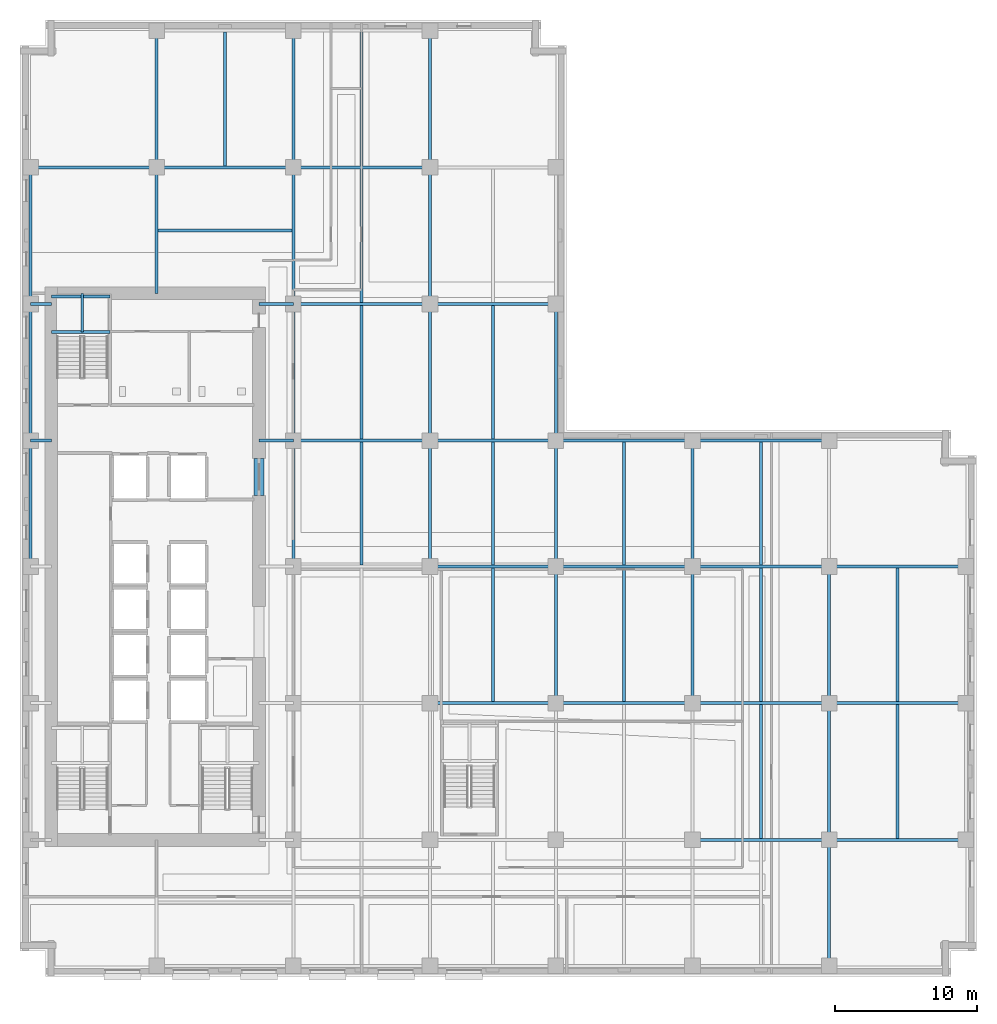
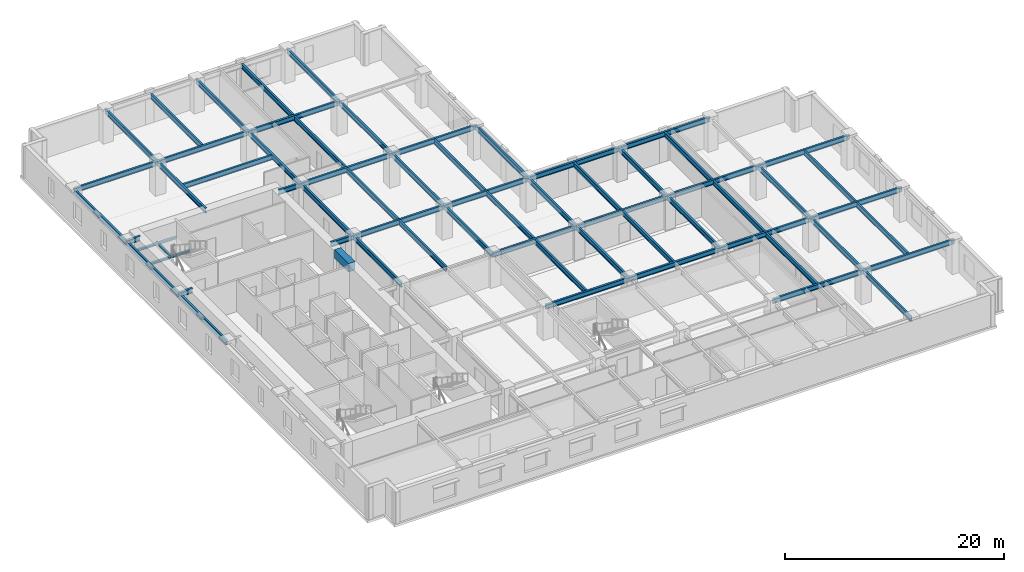
# One storey, part 2 of 14: 64 beams.
"""IFC4 building model written with IfcOpenShell, lengths in metres."""

from ifc_helpers import new_model, si_unit, direction, frame, origin, origin_2d, place, context, subcontext, project, spatial, rectangle, i_section, extrude, material, material_profile, profile_set, type_object, element, save


model = new_model("IFC4")

# Units and contexts
model_context = context("Model", 3, precision=1e-05, world=origin(), true_north=direction((0.0, 1.0)))
body_context = subcontext(model_context, "Body", "Model", "MODEL_VIEW")
ifc_project = project(units=[si_unit("LENGTHUNIT", "METRE"), si_unit("AREAUNIT", "SQUARE_METRE"), si_unit("VOLUMEUNIT", "CUBIC_METRE"), si_unit("PLANEANGLEUNIT", "RADIAN"), si_unit("MASSUNIT", "GRAM", prefix="KILO")], contexts=[model_context])

# Site, building, storey
site_placement = place(None, origin())
site = spatial("IfcSite", under=ifc_project, at=site_placement, CompositionType="ELEMENT")
building_placement = place(site_placement, origin())
building = spatial("IfcBuilding", under=site, at=building_placement, Name="Norrvale University Quadrangle", CompositionType="ELEMENT")
storey_placement = place(building_placement, frame((0.0, 0.0, 73.60009765625)))
storey = spatial("IfcBuildingStorey", under=building, at=storey_placement, Name="L18", CompositionType="ELEMENT", Elevation=73.60009765625)

# Beams
ifc_material_1 = material(Name="Concrete C80/95", Category="concrete")
ifc_material_profile_1 = material_profile(ifc_material_1, rectangle(XDim=0.699951171875, YDim=0.949951171875, at=origin_2d()), Name="Concrete C80/95")
ifc_profile_set_1 = profile_set([ifc_material_profile_1], Name="Concrete C80/95")
beam_type_1 = type_object("IfcBeamType", Name="Beam Core Link 700x950", PredefinedType="LINTEL", material=ifc_profile_set_1)
beam_1_placement = place(storey_placement, frame((16.800048828125, 33.800048828125, 3.06494140625), z_axis=(0.0, 1.0, 0.0), x_axis=(-1.0, 0.0, 0.0)))
element("IfcBeam", 1, at=beam_1_placement, inside=storey, type_object=beam_type_1, Name="Core Coupling Lintel Beam L18-2", PredefinedType="LINTEL", context=body_context, shape_type="SweptSolid", body=[
    extrude(rectangle(XDim=0.699951171875, YDim=0.949951171875, at=origin_2d()), origin(), (0.0, 0.0, 1.0), 2.599853515625),
])
ifc_material_2 = material(Name="Steel 350W", Category="steel")
ifc_material_profile_2 = material_profile(ifc_material_2, i_section(OverallWidth=0.2119140625, OverallDepth=0.5439453125, WebThickness=0.01318359375, FlangeThickness=0.021240234375, FilletRadius=0.013916015625, at=origin_2d()), Name="Steel 350W")
ifc_profile_set_2 = profile_set([ifc_material_profile_2], Name="Steel 350W")
beam_type_2 = type_object("IfcBeamType", Name="Beam Floor W530x123", PredefinedType="BEAM", material=ifc_profile_set_2)
beam_2_placement = place(storey_placement, frame((47.25, 9.60009765625, 3.267822265625), z_axis=(1.0, 0.0, 0.0), x_axis=(0.0, 1.0, 0.0)))
element("IfcBeam", 2, at=beam_2_placement, inside=storey, type_object=beam_type_2, Name="Beam Floor W530x123 BM-L18-GX009", PredefinedType="BEAM", context=body_context, shape_type="SweptSolid", body=[
    extrude(i_section(OverallWidth=0.2119140625, OverallDepth=0.5439453125, WebThickness=0.01318359375, FlangeThickness=0.021240234375, FilletRadius=0.013916015625, at=origin_2d()), origin(), (0.0, 0.0, 1.0), 9.60009765625),
])
beam_3_placement = place(storey_placement, frame((56.85009765625, 9.60009765625, 3.267822265625), z_axis=(1.0, 0.0, 0.0), x_axis=(0.0, 1.0, 0.0)))
element("IfcBeam", 3, at=beam_3_placement, inside=storey, type_object=beam_type_2, Name="Beam Floor W530x123 BM-L18-GX010", PredefinedType="BEAM", context=body_context, shape_type="SweptSolid", body=[
    extrude(i_section(OverallWidth=0.2119140625, OverallDepth=0.5439453125, WebThickness=0.01318359375, FlangeThickness=0.021240234375, FilletRadius=0.013916015625, at=origin_2d()), origin(), (0.0, 0.0, 1.0), 9.599853515625),
])
beam_4_placement = place(storey_placement, frame((28.800048828125, 19.199951171875, 3.267822265625), z_axis=(1.0, 0.0, 0.0), x_axis=(0.0, 1.0, 0.0)))
element("IfcBeam", 4, at=beam_4_placement, inside=storey, type_object=beam_type_2, Name="Beam Floor W530x123 BM-L18-GX012", PredefinedType="BEAM", context=body_context, shape_type="SweptSolid", body=[
    extrude(i_section(OverallWidth=0.2119140625, OverallDepth=0.5439453125, WebThickness=0.01318359375, FlangeThickness=0.021240234375, FilletRadius=0.013916015625, at=origin_2d()), origin(), (0.0, 0.0, 1.0), 8.849853515625),
])
for number, where, z_axis, x_axis, name in (
    (5, (37.64990234375, 19.199951171875, 3.267822265625), (1.0, 0.0, 0.0), (0.0, 1.0, 0.0), "Beam Floor W530x123 BM-L18-GX013"),
    (6, (47.25, 19.199951171875, 3.267822265625), (1.0, 0.0, 0.0), (0.0, 1.0, 0.0), "Beam Floor W530x123 BM-L18-GX014"),
):
    element("IfcBeam", number, at=place(storey_placement, frame(where, z_axis=z_axis, x_axis=x_axis)), inside=storey, type_object=beam_type_2, Name=name, PredefinedType="BEAM", context=body_context, shape_type="SweptSolid", body=[
        extrude(i_section(OverallWidth=0.2119140625, OverallDepth=0.5439453125, WebThickness=0.01318359375, FlangeThickness=0.021240234375, FilletRadius=0.013916015625, at=origin_2d()), origin(), (0.0, 0.0, 1.0), 9.60009765625),
    ])
beam_5_placement = place(storey_placement, frame((56.85009765625, 19.199951171875, 3.267822265625), z_axis=(1.0, 0.0, 0.0), x_axis=(0.0, 1.0, 0.0)))
element("IfcBeam", 7, at=beam_5_placement, inside=storey, type_object=beam_type_2, Name="Beam Floor W530x123 BM-L18-GX015", PredefinedType="BEAM", context=body_context, shape_type="SweptSolid", body=[
    extrude(i_section(OverallWidth=0.2119140625, OverallDepth=0.5439453125, WebThickness=0.01318359375, FlangeThickness=0.021240234375, FilletRadius=0.013916015625, at=origin_2d()), origin(), (0.0, 0.0, 1.0), 9.599853515625),
])
beam_6_placement = place(storey_placement, frame((28.800048828125, 28.800048828125, 3.267822265625), z_axis=(1.0, 0.0, 0.0), x_axis=(0.0, 1.0, 0.0)))
element("IfcBeam", 8, at=beam_6_placement, inside=storey, type_object=beam_type_2, Name="Beam Floor W530x123 BM-L18-GX017", PredefinedType="BEAM", context=body_context, shape_type="SweptSolid", body=[
    extrude(i_section(OverallWidth=0.2119140625, OverallDepth=0.5439453125, WebThickness=0.01318359375, FlangeThickness=0.021240234375, FilletRadius=0.013916015625, at=origin_2d()), origin(), (0.0, 0.0, 1.0), 8.849853515625),
])
for number, where, z_axis, x_axis, name in (
    (9, (37.64990234375, 28.800048828125, 3.267822265625), (1.0, 0.0, 0.0), (0.0, 1.0, 0.0), "Beam Floor W530x123 BM-L18-GX018"),
    (10, (47.25, 28.800048828125, 3.267822265625), (1.0, 0.0, 0.0), (0.0, 1.0, 0.0), "Beam Floor W530x123 BM-L18-GX019"),
):
    element("IfcBeam", number, at=place(storey_placement, frame(where, z_axis=z_axis, x_axis=x_axis)), inside=storey, type_object=beam_type_2, Name=name, PredefinedType="BEAM", context=body_context, shape_type="SweptSolid", body=[
        extrude(i_section(OverallWidth=0.2119140625, OverallDepth=0.5439453125, WebThickness=0.01318359375, FlangeThickness=0.021240234375, FilletRadius=0.013916015625, at=origin_2d()), origin(), (0.0, 0.0, 1.0), 9.60009765625),
    ])
beam_7_placement = place(storey_placement, frame((56.85009765625, 28.800048828125, 3.267822265625), z_axis=(1.0, 0.0, 0.0), x_axis=(0.0, 1.0, 0.0)))
element("IfcBeam", 11, at=beam_7_placement, inside=storey, type_object=beam_type_2, Name="Beam Floor W530x123 BM-L18-GX020", PredefinedType="BEAM", context=body_context, shape_type="SweptSolid", body=[
    extrude(i_section(OverallWidth=0.2119140625, OverallDepth=0.5439453125, WebThickness=0.01318359375, FlangeThickness=0.021240234375, FilletRadius=0.013916015625, at=origin_2d()), origin(), (0.0, 0.0, 1.0), 9.599853515625),
])
beam_8_placement = place(storey_placement, frame((19.199951171875, 37.64990234375, 3.267822265625), z_axis=(1.0, 0.0, 0.0), x_axis=(0.0, 1.0, 0.0)))
element("IfcBeam", 12, at=beam_8_placement, inside=storey, type_object=beam_type_2, Name="Beam Floor W530x123 BM-L18-GX021", PredefinedType="BEAM", context=body_context, shape_type="SweptSolid", body=[
    extrude(i_section(OverallWidth=0.2119140625, OverallDepth=0.5439453125, WebThickness=0.01318359375, FlangeThickness=0.021240234375, FilletRadius=0.013916015625, at=origin_2d()), origin(), (0.0, 0.0, 1.0), 9.60009765625),
])
beam_9_placement = place(storey_placement, frame((28.800048828125, 37.64990234375, 3.267822265625), z_axis=(1.0, 0.0, 0.0), x_axis=(0.0, 1.0, 0.0)))
element("IfcBeam", 13, at=beam_9_placement, inside=storey, type_object=beam_type_2, Name="Beam Floor W530x123 BM-L18-GX022", PredefinedType="BEAM", context=body_context, shape_type="SweptSolid", body=[
    extrude(i_section(OverallWidth=0.2119140625, OverallDepth=0.5439453125, WebThickness=0.01318359375, FlangeThickness=0.021240234375, FilletRadius=0.013916015625, at=origin_2d()), origin(), (0.0, 0.0, 1.0), 8.849853515625),
])
for number, where, z_axis, x_axis, name in (
    (14, (37.64990234375, 37.64990234375, 3.267822265625), (1.0, 0.0, 0.0), (0.0, 1.0, 0.0), "Beam Floor W530x123 BM-L18-GX023"),
    (15, (47.25, 37.64990234375, 3.267822265625), (1.0, 0.0, 0.0), (0.0, 1.0, 0.0), "Beam Floor W530x123 BM-L18-GX024"),
    (16, (19.199951171875, 47.25, 3.267822265625), (1.0, 0.0, 0.0), (0.0, 1.0, 0.0), "Beam Floor W530x123 BM-L18-GX025"),
):
    element("IfcBeam", number, at=place(storey_placement, frame(where, z_axis=z_axis, x_axis=x_axis)), inside=storey, type_object=beam_type_2, Name=name, PredefinedType="BEAM", context=body_context, shape_type="SweptSolid", body=[
        extrude(i_section(OverallWidth=0.2119140625, OverallDepth=0.5439453125, WebThickness=0.01318359375, FlangeThickness=0.021240234375, FilletRadius=0.013916015625, at=origin_2d()), origin(), (0.0, 0.0, 1.0), 9.60009765625),
    ])
beam_10_placement = place(storey_placement, frame((28.800048828125, 47.25, 3.267822265625), z_axis=(1.0, 0.0, 0.0), x_axis=(0.0, 1.0, 0.0)))
element("IfcBeam", 17, at=beam_10_placement, inside=storey, type_object=beam_type_2, Name="Beam Floor W530x123 BM-L18-GX026", PredefinedType="BEAM", context=body_context, shape_type="SweptSolid", body=[
    extrude(i_section(OverallWidth=0.2119140625, OverallDepth=0.5439453125, WebThickness=0.01318359375, FlangeThickness=0.021240234375, FilletRadius=0.013916015625, at=origin_2d()), origin(), (0.0, 0.0, 1.0), 8.849853515625),
])
beam_11_placement = place(storey_placement, frame((0.75, 56.85009765625, 3.267822265625), z_axis=(1.0, 0.0, 0.0), x_axis=(0.0, 1.0, 0.0)))
element("IfcBeam", 18, at=beam_11_placement, inside=storey, type_object=beam_type_2, Name="Beam Floor W530x123 BM-L18-GX027", PredefinedType="BEAM", context=body_context, shape_type="SweptSolid", body=[
    extrude(i_section(OverallWidth=0.2119140625, OverallDepth=0.5439453125, WebThickness=0.01318359375, FlangeThickness=0.021240234375, FilletRadius=0.013916015625, at=origin_2d()), origin(), (0.0, 0.0, 1.0), 8.85009765625),
])
beam_12_placement = place(storey_placement, frame((9.60009765625, 56.85009765625, 3.267822265625), z_axis=(1.0, 0.0, 0.0), x_axis=(0.0, 1.0, 0.0)))
element("IfcBeam", 19, at=beam_12_placement, inside=storey, type_object=beam_type_2, Name="Beam Floor W530x123 BM-L18-GX028", PredefinedType="BEAM", context=body_context, shape_type="SweptSolid", body=[
    extrude(i_section(OverallWidth=0.2119140625, OverallDepth=0.5439453125, WebThickness=0.01318359375, FlangeThickness=0.021240234375, FilletRadius=0.013916015625, at=origin_2d()), origin(), (0.0, 0.0, 1.0), 9.599853515625),
])
beam_13_placement = place(storey_placement, frame((19.199951171875, 56.85009765625, 3.267822265625), z_axis=(1.0, 0.0, 0.0), x_axis=(0.0, 1.0, 0.0)))
element("IfcBeam", 20, at=beam_13_placement, inside=storey, type_object=beam_type_2, Name="Beam Floor W530x123 BM-L18-GX029", PredefinedType="BEAM", context=body_context, shape_type="SweptSolid", body=[
    extrude(i_section(OverallWidth=0.2119140625, OverallDepth=0.5439453125, WebThickness=0.01318359375, FlangeThickness=0.021240234375, FilletRadius=0.013916015625, at=origin_2d()), origin(), (0.0, 0.0, 1.0), 9.60009765625),
])
beam_14_placement = place(storey_placement, frame((0.75, 28.800048828125, 3.267822265625), z_axis=(0.0, 1.0, 0.0), x_axis=(-1.0, 0.0, 0.0)))
element("IfcBeam", 21, at=beam_14_placement, inside=storey, type_object=beam_type_2, Name="Beam Floor W530x123 BM-L18-GY035", PredefinedType="BEAM", context=body_context, shape_type="SweptSolid", body=[
    extrude(i_section(OverallWidth=0.2119140625, OverallDepth=0.5439453125, WebThickness=0.01318359375, FlangeThickness=0.021240234375, FilletRadius=0.013916015625, at=origin_2d()), origin(), (0.0, 0.0, 1.0), 8.849853515625),
])
for number, where, z_axis, x_axis, name in (
    (22, (0.75, 37.64990234375, 3.267822265625), (0.0, 1.0, 0.0), (-1.0, 0.0, 0.0), "Beam Floor W530x123 BM-L18-GY036"),
    (23, (0.75, 47.25, 3.267822265625), (0.0, 1.0, 0.0), (-1.0, 0.0, 0.0), "Beam Floor W530x123 BM-L18-GY037"),
):
    element("IfcBeam", number, at=place(storey_placement, frame(where, z_axis=z_axis, x_axis=x_axis)), inside=storey, type_object=beam_type_2, Name=name, PredefinedType="BEAM", context=body_context, shape_type="SweptSolid", body=[
        extrude(i_section(OverallWidth=0.2119140625, OverallDepth=0.5439453125, WebThickness=0.01318359375, FlangeThickness=0.021240234375, FilletRadius=0.013916015625, at=origin_2d()), origin(), (0.0, 0.0, 1.0), 9.60009765625),
    ])
beam_15_placement = place(storey_placement, frame((9.60009765625, 56.85009765625, 3.267822265625), z_axis=(0.0, 1.0, 0.0), x_axis=(-1.0, 0.0, 0.0)))
element("IfcBeam", 24, at=beam_15_placement, inside=storey, type_object=beam_type_2, Name="Beam Floor W530x123 BM-L18-GY038", PredefinedType="BEAM", context=body_context, shape_type="SweptSolid", body=[
    extrude(i_section(OverallWidth=0.2119140625, OverallDepth=0.5439453125, WebThickness=0.01318359375, FlangeThickness=0.021240234375, FilletRadius=0.013916015625, at=origin_2d()), origin(), (0.0, 0.0, 1.0), 9.599853515625),
])
beam_16_placement = place(storey_placement, frame((19.199951171875, 28.800048828125, 3.267822265625), z_axis=(0.0, 1.0, 0.0), x_axis=(-1.0, 0.0, 0.0)))
element("IfcBeam", 25, at=beam_16_placement, inside=storey, type_object=beam_type_2, Name="Beam Floor W530x123 BM-L18-GY042", PredefinedType="BEAM", context=body_context, shape_type="SweptSolid", body=[
    extrude(i_section(OverallWidth=0.2119140625, OverallDepth=0.5439453125, WebThickness=0.01318359375, FlangeThickness=0.021240234375, FilletRadius=0.013916015625, at=origin_2d()), origin(), (0.0, 0.0, 1.0), 8.849853515625),
])
for number, where, z_axis, x_axis, name in (
    (26, (19.199951171875, 37.64990234375, 3.267822265625), (0.0, 1.0, 0.0), (-1.0, 0.0, 0.0), "Beam Floor W530x123 BM-L18-GY043"),
    (27, (19.199951171875, 47.25, 3.267822265625), (0.0, 1.0, 0.0), (-1.0, 0.0, 0.0), "Beam Floor W530x123 BM-L18-GY044"),
):
    element("IfcBeam", number, at=place(storey_placement, frame(where, z_axis=z_axis, x_axis=x_axis)), inside=storey, type_object=beam_type_2, Name=name, PredefinedType="BEAM", context=body_context, shape_type="SweptSolid", body=[
        extrude(i_section(OverallWidth=0.2119140625, OverallDepth=0.5439453125, WebThickness=0.01318359375, FlangeThickness=0.021240234375, FilletRadius=0.013916015625, at=origin_2d()), origin(), (0.0, 0.0, 1.0), 9.60009765625),
    ])
beam_17_placement = place(storey_placement, frame((19.199951171875, 56.85009765625, 3.267822265625), z_axis=(0.0, 1.0, 0.0), x_axis=(-1.0, 0.0, 0.0)))
element("IfcBeam", 28, at=beam_17_placement, inside=storey, type_object=beam_type_2, Name="Beam Floor W530x123 BM-L18-GY045", PredefinedType="BEAM", context=body_context, shape_type="SweptSolid", body=[
    extrude(i_section(OverallWidth=0.2119140625, OverallDepth=0.5439453125, WebThickness=0.01318359375, FlangeThickness=0.021240234375, FilletRadius=0.013916015625, at=origin_2d()), origin(), (0.0, 0.0, 1.0), 9.599853515625),
])
beam_18_placement = place(storey_placement, frame((28.800048828125, 28.800048828125, 3.267822265625), z_axis=(0.0, 1.0, 0.0), x_axis=(-1.0, 0.0, 0.0)))
element("IfcBeam", 29, at=beam_18_placement, inside=storey, type_object=beam_type_2, Name="Beam Floor W530x123 BM-L18-GY049", PredefinedType="BEAM", context=body_context, shape_type="SweptSolid", body=[
    extrude(i_section(OverallWidth=0.2119140625, OverallDepth=0.5439453125, WebThickness=0.01318359375, FlangeThickness=0.021240234375, FilletRadius=0.013916015625, at=origin_2d()), origin(), (0.0, 0.0, 1.0), 8.849853515625),
])
for number, where, z_axis, x_axis, name in (
    (30, (28.800048828125, 37.64990234375, 3.267822265625), (0.0, 1.0, 0.0), (-1.0, 0.0, 0.0), "Beam Floor W530x123 BM-L18-GY050"),
    (31, (28.800048828125, 47.25, 3.267822265625), (0.0, 1.0, 0.0), (-1.0, 0.0, 0.0), "Beam Floor W530x123 BM-L18-GY051"),
):
    element("IfcBeam", number, at=place(storey_placement, frame(where, z_axis=z_axis, x_axis=x_axis)), inside=storey, type_object=beam_type_2, Name=name, PredefinedType="BEAM", context=body_context, shape_type="SweptSolid", body=[
        extrude(i_section(OverallWidth=0.2119140625, OverallDepth=0.5439453125, WebThickness=0.01318359375, FlangeThickness=0.021240234375, FilletRadius=0.013916015625, at=origin_2d()), origin(), (0.0, 0.0, 1.0), 9.60009765625),
    ])
beam_19_placement = place(storey_placement, frame((28.800048828125, 56.85009765625, 3.267822265625), z_axis=(0.0, 1.0, 0.0), x_axis=(-1.0, 0.0, 0.0)))
element("IfcBeam", 32, at=beam_19_placement, inside=storey, type_object=beam_type_2, Name="Beam Floor W530x123 BM-L18-GY052", PredefinedType="BEAM", context=body_context, shape_type="SweptSolid", body=[
    extrude(i_section(OverallWidth=0.2119140625, OverallDepth=0.5439453125, WebThickness=0.01318359375, FlangeThickness=0.021240234375, FilletRadius=0.013916015625, at=origin_2d()), origin(), (0.0, 0.0, 1.0), 9.599853515625),
])
beam_20_placement = place(storey_placement, frame((37.64990234375, 19.199951171875, 3.267822265625), z_axis=(0.0, 1.0, 0.0), x_axis=(-1.0, 0.0, 0.0)))
element("IfcBeam", 33, at=beam_20_placement, inside=storey, type_object=beam_type_2, Name="Beam Floor W530x123 BM-L18-GY055", PredefinedType="BEAM", context=body_context, shape_type="SweptSolid", body=[
    extrude(i_section(OverallWidth=0.2119140625, OverallDepth=0.5439453125, WebThickness=0.01318359375, FlangeThickness=0.021240234375, FilletRadius=0.013916015625, at=origin_2d()), origin(), (0.0, 0.0, 1.0), 9.60009765625),
])
beam_21_placement = place(storey_placement, frame((37.64990234375, 28.800048828125, 3.267822265625), z_axis=(0.0, 1.0, 0.0), x_axis=(-1.0, 0.0, 0.0)))
element("IfcBeam", 34, at=beam_21_placement, inside=storey, type_object=beam_type_2, Name="Beam Floor W530x123 BM-L18-GY056", PredefinedType="BEAM", context=body_context, shape_type="SweptSolid", body=[
    extrude(i_section(OverallWidth=0.2119140625, OverallDepth=0.5439453125, WebThickness=0.01318359375, FlangeThickness=0.021240234375, FilletRadius=0.013916015625, at=origin_2d()), origin(), (0.0, 0.0, 1.0), 8.849853515625),
])
for number, where, z_axis, x_axis, name in (
    (35, (37.64990234375, 37.64990234375, 3.267822265625), (0.0, 1.0, 0.0), (-1.0, 0.0, 0.0), "Beam Floor W530x123 BM-L18-GY057"),
    (36, (47.25, 19.199951171875, 3.267822265625), (0.0, 1.0, 0.0), (-1.0, 0.0, 0.0), "Beam Floor W530x123 BM-L18-GY061"),
):
    element("IfcBeam", number, at=place(storey_placement, frame(where, z_axis=z_axis, x_axis=x_axis)), inside=storey, type_object=beam_type_2, Name=name, PredefinedType="BEAM", context=body_context, shape_type="SweptSolid", body=[
        extrude(i_section(OverallWidth=0.2119140625, OverallDepth=0.5439453125, WebThickness=0.01318359375, FlangeThickness=0.021240234375, FilletRadius=0.013916015625, at=origin_2d()), origin(), (0.0, 0.0, 1.0), 9.60009765625),
    ])
beam_22_placement = place(storey_placement, frame((47.25, 28.800048828125, 3.267822265625), z_axis=(0.0, 1.0, 0.0), x_axis=(-1.0, 0.0, 0.0)))
element("IfcBeam", 37, at=beam_22_placement, inside=storey, type_object=beam_type_2, Name="Beam Floor W530x123 BM-L18-GY062", PredefinedType="BEAM", context=body_context, shape_type="SweptSolid", body=[
    extrude(i_section(OverallWidth=0.2119140625, OverallDepth=0.5439453125, WebThickness=0.01318359375, FlangeThickness=0.021240234375, FilletRadius=0.013916015625, at=origin_2d()), origin(), (0.0, 0.0, 1.0), 8.849853515625),
])
beam_23_placement = place(storey_placement, frame((56.85009765625, 0.75, 3.267822265625), z_axis=(0.0, 1.0, 0.0), x_axis=(-1.0, 0.0, 0.0)))
element("IfcBeam", 38, at=beam_23_placement, inside=storey, type_object=beam_type_2, Name="Beam Floor W530x123 BM-L18-GY063", PredefinedType="BEAM", context=body_context, shape_type="SweptSolid", body=[
    extrude(i_section(OverallWidth=0.2119140625, OverallDepth=0.5439453125, WebThickness=0.01318359375, FlangeThickness=0.021240234375, FilletRadius=0.013916015625, at=origin_2d()), origin(), (0.0, 0.0, 1.0), 8.85009765625),
])
beam_24_placement = place(storey_placement, frame((56.85009765625, 9.60009765625, 3.267822265625), z_axis=(0.0, 1.0, 0.0), x_axis=(-1.0, 0.0, 0.0)))
element("IfcBeam", 39, at=beam_24_placement, inside=storey, type_object=beam_type_2, Name="Beam Floor W530x123 BM-L18-GY064", PredefinedType="BEAM", context=body_context, shape_type="SweptSolid", body=[
    extrude(i_section(OverallWidth=0.2119140625, OverallDepth=0.5439453125, WebThickness=0.01318359375, FlangeThickness=0.021240234375, FilletRadius=0.013916015625, at=origin_2d()), origin(), (0.0, 0.0, 1.0), 9.599853515625),
])
beam_25_placement = place(storey_placement, frame((56.85009765625, 19.199951171875, 3.267822265625), z_axis=(0.0, 1.0, 0.0), x_axis=(-1.0, 0.0, 0.0)))
element("IfcBeam", 40, at=beam_25_placement, inside=storey, type_object=beam_type_2, Name="Beam Floor W530x123 BM-L18-GY065", PredefinedType="BEAM", context=body_context, shape_type="SweptSolid", body=[
    extrude(i_section(OverallWidth=0.2119140625, OverallDepth=0.5439453125, WebThickness=0.01318359375, FlangeThickness=0.021240234375, FilletRadius=0.013916015625, at=origin_2d()), origin(), (0.0, 0.0, 1.0), 9.60009765625),
])
beam_26_placement = place(storey_placement, frame((0.75, 37.64990234375, 3.267822265625), z_axis=(1.0, 0.0, 0.0), x_axis=(0.0, 1.0, 0.0)))
element("IfcBeam", 41, at=beam_26_placement, inside=storey, type_object=beam_type_2, Name="Beam Floor W530x123 BM-L18-GCW075", PredefinedType="BEAM", context=body_context, shape_type="SweptSolid", body=[
    extrude(i_section(OverallWidth=0.2119140625, OverallDepth=0.5439453125, WebThickness=0.01318359375, FlangeThickness=0.021240234375, FilletRadius=0.013916015625, at=origin_2d()), origin(), (0.0, 0.0, 1.0), 1.449951171875),
])
beam_27_placement = place(storey_placement, frame((16.800048828125, 37.64990234375, 3.267822265625), z_axis=(1.0, 0.0, 0.0), x_axis=(0.0, 1.0, 0.0)))
element("IfcBeam", 42, at=beam_27_placement, inside=storey, type_object=beam_type_2, Name="Beam Floor W530x123 BM-L18-GCE076", PredefinedType="BEAM", context=body_context, shape_type="SweptSolid", body=[
    extrude(i_section(OverallWidth=0.2119140625, OverallDepth=0.5439453125, WebThickness=0.01318359375, FlangeThickness=0.021240234375, FilletRadius=0.013916015625, at=origin_2d()), origin(), (0.0, 0.0, 1.0), 2.39990234375),
])
beam_28_placement = place(storey_placement, frame((0.75, 47.25, 3.267822265625), z_axis=(1.0, 0.0, 0.0), x_axis=(0.0, 1.0, 0.0)))
element("IfcBeam", 43, at=beam_28_placement, inside=storey, type_object=beam_type_2, Name="Beam Floor W530x123 BM-L18-GCW077", PredefinedType="BEAM", context=body_context, shape_type="SweptSolid", body=[
    extrude(i_section(OverallWidth=0.2119140625, OverallDepth=0.5439453125, WebThickness=0.01318359375, FlangeThickness=0.021240234375, FilletRadius=0.013916015625, at=origin_2d()), origin(), (0.0, 0.0, 1.0), 1.449951171875),
])
beam_29_placement = place(storey_placement, frame((16.800048828125, 47.25, 3.267822265625), z_axis=(1.0, 0.0, 0.0), x_axis=(0.0, 1.0, 0.0)))
element("IfcBeam", 44, at=beam_29_placement, inside=storey, type_object=beam_type_2, Name="Beam Floor W530x123 BM-L18-GCE078", PredefinedType="BEAM", context=body_context, shape_type="SweptSolid", body=[
    extrude(i_section(OverallWidth=0.2119140625, OverallDepth=0.5439453125, WebThickness=0.01318359375, FlangeThickness=0.021240234375, FilletRadius=0.013916015625, at=origin_2d()), origin(), (0.0, 0.0, 1.0), 2.39990234375),
])
beam_30_placement = place(storey_placement, frame((9.60009765625, 48.0, 3.267822265625), z_axis=(0.0, 1.0, 0.0), x_axis=(-1.0, 0.0, 0.0)))
element("IfcBeam", 45, at=beam_30_placement, inside=storey, type_object=beam_type_2, Name="Beam Floor W530x123 BM-L18-GCN104", PredefinedType="BEAM", context=body_context, shape_type="SweptSolid", body=[
    extrude(i_section(OverallWidth=0.2119140625, OverallDepth=0.5439453125, WebThickness=0.01318359375, FlangeThickness=0.021240234375, FilletRadius=0.013916015625, at=origin_2d()), origin(), (0.0, 0.0, 1.0), 8.85009765625),
])
ifc_material_profile_3 = material_profile(ifc_material_2, i_section(OverallWidth=0.208984375, OverallDepth=0.532958984375, WebThickness=0.01025390625, FlangeThickness=0.015625, FilletRadius=0.013916015625, at=origin_2d()), Name="Steel 350W")
ifc_profile_set_3 = profile_set([ifc_material_profile_3], Name="Steel 350W")
beam_type_3 = type_object("IfcBeamType", Name="Beam Floor W530x92", PredefinedType="JOIST", material=ifc_profile_set_3)
beam_31_placement = place(storey_placement, frame((14.39990234375, 56.9560546875, 3.2734375), z_axis=(0.0, 1.0, 0.0), x_axis=(-1.0, 0.0, 0.0)))
element("IfcBeam", 46, at=beam_31_placement, inside=storey, type_object=beam_type_3, Name="Beam Floor W530x92 BM-L18-J079", PredefinedType="JOIST", context=body_context, shape_type="SweptSolid", body=[
    extrude(i_section(OverallWidth=0.208984375, OverallDepth=0.532958984375, WebThickness=0.01025390625, FlangeThickness=0.015625, FilletRadius=0.013916015625, at=origin_2d()), origin(), (0.0, 0.0, 1.0), 9.387939453125),
])
beam_32_placement = place(storey_placement, frame((24.0, 28.906005859375, 3.2734375), z_axis=(0.0, 1.0, 0.0), x_axis=(-1.0, 0.0, 0.0)))
element("IfcBeam", 47, at=beam_32_placement, inside=storey, type_object=beam_type_3, Name="Beam Floor W530x92 BM-L18-J083", PredefinedType="JOIST", context=body_context, shape_type="SweptSolid", body=[
    extrude(i_section(OverallWidth=0.208984375, OverallDepth=0.532958984375, WebThickness=0.01025390625, FlangeThickness=0.015625, FilletRadius=0.013916015625, at=origin_2d()), origin(), (0.0, 0.0, 1.0), 8.637939453125),
])
for number, where, z_axis, x_axis, name in (
    (48, (24.0, 37.756103515625, 3.2734375), (0.0, 1.0, 0.0), (-1.0, 0.0, 0.0), "Beam Floor W530x92 BM-L18-J084"),
    (49, (24.0, 47.35595703125, 3.2734375), (0.0, 1.0, 0.0), (-1.0, 0.0, 0.0), "Beam Floor W530x92 BM-L18-J085"),
    (50, (24.0, 56.9560546875, 3.2734375), (0.0, 1.0, 0.0), (-1.0, 0.0, 0.0), "Beam Floor W530x92 BM-L18-J086"),
):
    element("IfcBeam", number, at=place(storey_placement, frame(where, z_axis=z_axis, x_axis=x_axis)), inside=storey, type_object=beam_type_3, Name=name, PredefinedType="JOIST", context=body_context, shape_type="SweptSolid", body=[
        extrude(i_section(OverallWidth=0.208984375, OverallDepth=0.532958984375, WebThickness=0.01025390625, FlangeThickness=0.015625, FilletRadius=0.013916015625, at=origin_2d()), origin(), (0.0, 0.0, 1.0), 9.387939453125),
    ])
beam_33_placement = place(storey_placement, frame((33.22509765625, 19.305908203125, 3.2734375), z_axis=(0.0, 1.0, 0.0), x_axis=(-1.0, 0.0, 0.0)))
element("IfcBeam", 51, at=beam_33_placement, inside=storey, type_object=beam_type_3, Name="Beam Floor W530x92 BM-L18-J088", PredefinedType="JOIST", context=body_context, shape_type="SweptSolid", body=[
    extrude(i_section(OverallWidth=0.208984375, OverallDepth=0.532958984375, WebThickness=0.01025390625, FlangeThickness=0.015625, FilletRadius=0.013916015625, at=origin_2d()), origin(), (0.0, 0.0, 1.0), 9.38818359375),
])
beam_34_placement = place(storey_placement, frame((33.22509765625, 28.906005859375, 3.2734375), z_axis=(0.0, 1.0, 0.0), x_axis=(-1.0, 0.0, 0.0)))
element("IfcBeam", 52, at=beam_34_placement, inside=storey, type_object=beam_type_3, Name="Beam Floor W530x92 BM-L18-J089", PredefinedType="JOIST", context=body_context, shape_type="SweptSolid", body=[
    extrude(i_section(OverallWidth=0.208984375, OverallDepth=0.532958984375, WebThickness=0.01025390625, FlangeThickness=0.015625, FilletRadius=0.013916015625, at=origin_2d()), origin(), (0.0, 0.0, 1.0), 8.637939453125),
])
beam_35_placement = place(storey_placement, frame((33.22509765625, 37.756103515625, 3.2734375), z_axis=(0.0, 1.0, 0.0), x_axis=(-1.0, 0.0, 0.0)))
element("IfcBeam", 53, at=beam_35_placement, inside=storey, type_object=beam_type_3, Name="Beam Floor W530x92 BM-L18-J090", PredefinedType="JOIST", context=body_context, shape_type="SweptSolid", body=[
    extrude(i_section(OverallWidth=0.208984375, OverallDepth=0.532958984375, WebThickness=0.01025390625, FlangeThickness=0.015625, FilletRadius=0.013916015625, at=origin_2d()), origin(), (0.0, 0.0, 1.0), 9.387939453125),
])
beam_36_placement = place(storey_placement, frame((42.449951171875, 19.305908203125, 3.2734375), z_axis=(0.0, 1.0, 0.0), x_axis=(-1.0, 0.0, 0.0)))
element("IfcBeam", 54, at=beam_36_placement, inside=storey, type_object=beam_type_3, Name="Beam Floor W530x92 BM-L18-J094", PredefinedType="JOIST", context=body_context, shape_type="SweptSolid", body=[
    extrude(i_section(OverallWidth=0.208984375, OverallDepth=0.532958984375, WebThickness=0.01025390625, FlangeThickness=0.015625, FilletRadius=0.013916015625, at=origin_2d()), origin(), (0.0, 0.0, 1.0), 9.38818359375),
])
beam_37_placement = place(storey_placement, frame((42.449951171875, 28.906005859375, 3.2734375), z_axis=(0.0, 1.0, 0.0), x_axis=(-1.0, 0.0, 0.0)))
element("IfcBeam", 55, at=beam_37_placement, inside=storey, type_object=beam_type_3, Name="Beam Floor W530x92 BM-L18-J095", PredefinedType="JOIST", context=body_context, shape_type="SweptSolid", body=[
    extrude(i_section(OverallWidth=0.208984375, OverallDepth=0.532958984375, WebThickness=0.01025390625, FlangeThickness=0.015625, FilletRadius=0.013916015625, at=origin_2d()), origin(), (0.0, 0.0, 1.0), 8.637939453125),
])
beam_38_placement = place(storey_placement, frame((52.050048828125, 9.7060546875, 3.2734375), z_axis=(0.0, 1.0, 0.0), x_axis=(-1.0, 0.0, 0.0)))
element("IfcBeam", 56, at=beam_38_placement, inside=storey, type_object=beam_type_3, Name="Beam Floor W530x92 BM-L18-J097", PredefinedType="JOIST", context=body_context, shape_type="SweptSolid", body=[
    extrude(i_section(OverallWidth=0.208984375, OverallDepth=0.532958984375, WebThickness=0.01025390625, FlangeThickness=0.015625, FilletRadius=0.013916015625, at=origin_2d()), origin(), (0.0, 0.0, 1.0), 9.387939453125),
])
beam_39_placement = place(storey_placement, frame((52.050048828125, 19.305908203125, 3.2734375), z_axis=(0.0, 1.0, 0.0), x_axis=(-1.0, 0.0, 0.0)))
element("IfcBeam", 57, at=beam_39_placement, inside=storey, type_object=beam_type_3, Name="Beam Floor W530x92 BM-L18-J098", PredefinedType="JOIST", context=body_context, shape_type="SweptSolid", body=[
    extrude(i_section(OverallWidth=0.208984375, OverallDepth=0.532958984375, WebThickness=0.01025390625, FlangeThickness=0.015625, FilletRadius=0.013916015625, at=origin_2d()), origin(), (0.0, 0.0, 1.0), 9.38818359375),
])
beam_40_placement = place(storey_placement, frame((52.050048828125, 28.906005859375, 3.2734375), z_axis=(0.0, 1.0, 0.0), x_axis=(-1.0, 0.0, 0.0)))
element("IfcBeam", 58, at=beam_40_placement, inside=storey, type_object=beam_type_3, Name="Beam Floor W530x92 BM-L18-J099", PredefinedType="JOIST", context=body_context, shape_type="SweptSolid", body=[
    extrude(i_section(OverallWidth=0.208984375, OverallDepth=0.532958984375, WebThickness=0.01025390625, FlangeThickness=0.015625, FilletRadius=0.013916015625, at=origin_2d()), origin(), (0.0, 0.0, 1.0), 8.637939453125),
])
beam_41_placement = place(storey_placement, frame((61.64990234375, 9.7060546875, 3.2734375), z_axis=(0.0, 1.0, 0.0), x_axis=(-1.0, 0.0, 0.0)))
element("IfcBeam", 59, at=beam_41_placement, inside=storey, type_object=beam_type_3, Name="Beam Floor W530x92 BM-L18-J100", PredefinedType="JOIST", context=body_context, shape_type="SweptSolid", body=[
    extrude(i_section(OverallWidth=0.208984375, OverallDepth=0.532958984375, WebThickness=0.01025390625, FlangeThickness=0.015625, FilletRadius=0.013916015625, at=origin_2d()), origin(), (0.0, 0.0, 1.0), 9.387939453125),
])
beam_42_placement = place(storey_placement, frame((61.64990234375, 19.305908203125, 3.2734375), z_axis=(0.0, 1.0, 0.0), x_axis=(-1.0, 0.0, 0.0)))
element("IfcBeam", 60, at=beam_42_placement, inside=storey, type_object=beam_type_3, Name="Beam Floor W530x92 BM-L18-J101", PredefinedType="JOIST", context=body_context, shape_type="SweptSolid", body=[
    extrude(i_section(OverallWidth=0.208984375, OverallDepth=0.532958984375, WebThickness=0.01025390625, FlangeThickness=0.015625, FilletRadius=0.013916015625, at=origin_2d()), origin(), (0.0, 0.0, 1.0), 9.38818359375),
])
beam_43_placement = place(storey_placement, frame((9.7060546875, 52.39990234375, 3.2734375), z_axis=(1.0, 0.0, 0.0), x_axis=(0.0, 1.0, 0.0)))
element("IfcBeam", 61, at=beam_43_placement, inside=storey, type_object=beam_type_3, Name="Beam Floor W530x92 BM-L18-JCN105", PredefinedType="JOIST", context=body_context, shape_type="SweptSolid", body=[
    extrude(i_section(OverallWidth=0.208984375, OverallDepth=0.532958984375, WebThickness=0.01025390625, FlangeThickness=0.015625, FilletRadius=0.013916015625, at=origin_2d()), origin(), (0.0, 0.0, 1.0), 9.387939453125),
])
ifc_material_profile_4 = material_profile(ifc_material_2, i_section(OverallWidth=0.201904296875, OverallDepth=0.2470703125, WebThickness=0.00732421875, FlangeThickness=0.010986328125, FilletRadius=0.011962890625, at=origin_2d()), Name="Steel 350W")
ifc_profile_set_4 = profile_set([ifc_material_profile_4], Name="Steel 350W")
beam_type_4 = type_object("IfcBeamType", Name="Beam Stair W250x49", PredefinedType="BEAM", material=ifc_profile_set_4)
for number, where, z_axis, x_axis, name in (
    (62, (2.199951171875, 45.2900390625, 1.576416015625), (1.0, 0.0, 0.0), (0.0, 1.0, 0.0), "Stair Mid-Landing Front Beam ST-02 L18"),
    (63, (2.199951171875, 47.77001953125, 1.576416015625), (1.0, 0.0, 0.0), (0.0, 1.0, 0.0), "Stair Mid-Landing Rear Beam ST-02 L18"),
):
    element("IfcBeam", number, at=place(storey_placement, frame(where, z_axis=z_axis, x_axis=x_axis)), inside=storey, type_object=beam_type_4, Name=name, PredefinedType="BEAM", context=body_context, shape_type="SweptSolid", body=[
        extrude(i_section(OverallWidth=0.201904296875, OverallDepth=0.2470703125, WebThickness=0.00732421875, FlangeThickness=0.010986328125, FilletRadius=0.011962890625, at=origin_2d()), origin(), (0.0, 0.0, 1.0), 4.14013671875),
    ])
ifc_material_profile_5 = material_profile(ifc_material_2, i_section(OverallWidth=0.202880859375, OverallDepth=0.202880859375, WebThickness=0.007080078125, FlangeThickness=0.010986328125, FilletRadius=0.010009765625, at=origin_2d()), Name="Steel 350W")
ifc_profile_set_5 = profile_set([ifc_material_profile_5], Name="Steel 350W")
beam_type_5 = type_object("IfcBeamType", Name="Beam Trim W200x46", PredefinedType="BEAM", material=ifc_profile_set_5)
beam_44_placement = place(storey_placement, frame((4.375, 45.2900390625, 1.598388671875), z_axis=(0.0, 1.0, 0.0), x_axis=(-1.0, 0.0, 0.0)))
element("IfcBeam", 64, at=beam_44_placement, inside=storey, type_object=beam_type_5, Name="Stair Mid-Landing Cross Beam ST-02 L18", PredefinedType="BEAM", context=body_context, shape_type="SweptSolid", body=[
    extrude(i_section(OverallWidth=0.202880859375, OverallDepth=0.202880859375, WebThickness=0.007080078125, FlangeThickness=0.010986328125, FilletRadius=0.010009765625, at=origin_2d()), origin(), (0.0, 0.0, 1.0), 2.7099609375),
])

save(model, "model.ifc")
